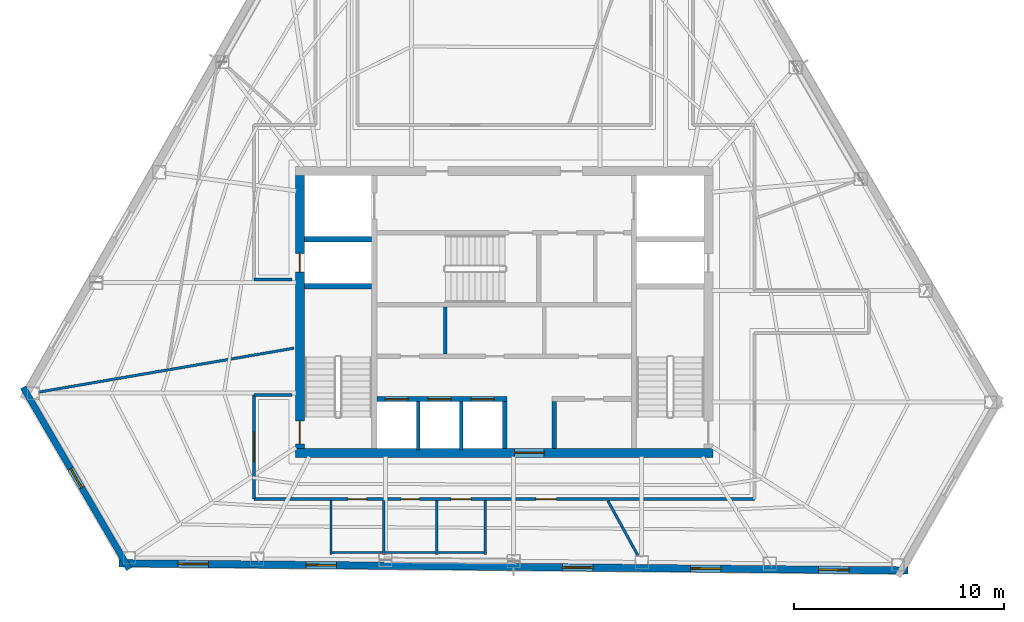
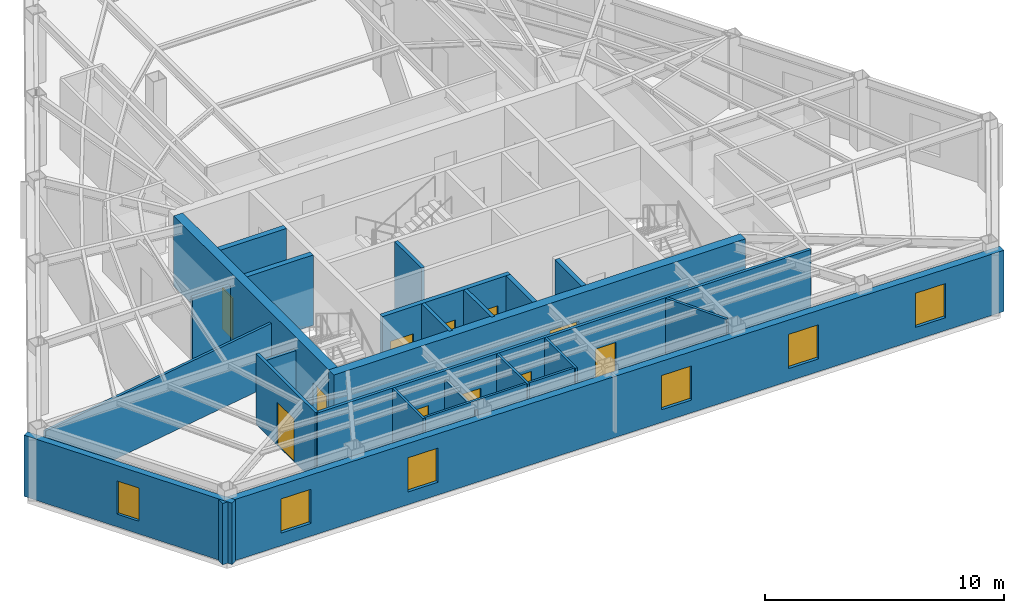
# One storey, part 7 of 11: 23 walls, 11 doors, 6 windows, 17 openings.
"""IFC4 building model written with IfcOpenShell, lengths in metres."""

from ifc_helpers import new_model, si_unit, direction, frame, frame_2d, origin, place, context, subcontext, project, spatial, rectangle, extrude, material, layer, layer_set, type_object, element, fill, save


model = new_model("IFC4")

# Units and contexts
model_context = context("Model", 3, precision=1e-05, world=origin(), true_north=direction((0.0, 1.0)))
body_context = subcontext(model_context, "Body", "Model", "MODEL_VIEW")
ifc_project = project(units=[si_unit("LENGTHUNIT", "METRE"), si_unit("AREAUNIT", "SQUARE_METRE"), si_unit("VOLUMEUNIT", "CUBIC_METRE"), si_unit("PLANEANGLEUNIT", "RADIAN"), si_unit("MASSUNIT", "GRAM", prefix="KILO")], contexts=[model_context])

# Site, building, storey
site_placement = place(None, origin())
site = spatial("IfcSite", under=ifc_project, at=site_placement, CompositionType="ELEMENT")
building_placement = place(site_placement, origin())
building = spatial("IfcBuilding", under=site, at=building_placement, Name="Kavelnor Concourse Tower", CompositionType="ELEMENT")
storey_placement = place(building_placement, frame((0.0, 0.0, 184.25)))
storey = spatial("IfcBuildingStorey", under=building, at=storey_placement, Name="L46", CompositionType="ELEMENT", Elevation=184.25)

# Wall, opening, door
ifc_material_1 = material(Name="Concrete C50/60", Category="concrete")
ifc_layer_1 = layer(ifc_material_1, 0.43994140625, Name="Concrete C50/60")
ifc_layer_set_1 = layer_set([ifc_layer_1], Name="Concrete C50/60")
wall_type_1 = type_object("IfcWallType", Name="WL-CORE-Z3-440", PredefinedType="SOLIDWALL", material=ifc_layer_set_1)
wall_1_placement = place(storey_placement, frame((28.0400390625, 9.3798828125, 0.0), z_axis=(0.0, 0.0, 1.0), x_axis=(1.0, 0.0, 0.0)))
wall_1 = element("IfcWall", 1, at=wall_1_placement, inside=storey, type_object=wall_type_1, Name="L46 Central Core South Shear Wall", PredefinedType="SOLIDWALL", context=body_context, shape_type="SweptSolid", body=[
    extrude(rectangle(XDim=19.919921875, YDim=0.43994140625, at=frame_2d((9.9599609375, 0.0))), origin(), (0.0, 0.0, 1.0), 3.60009765625),
])
opening_1_placement = place(wall_1_placement, frame((10.4599609375, 0.0, 0.0)))
opening_1 = element("IfcOpeningElement", 2, at=opening_1_placement, cuts=wall_1, Name="Opening SD-140", PredefinedType="OPENING", context=body_context, shape_type="SweptSolid", body=[
    extrude(rectangle(XDim=1.39990234375, YDim=2.199951171875, at=frame_2d((0.699951171875, 1.10009765625))), frame((0.0, 0.22998046875, 0.0), z_axis=(0.0, -1.0, 0.0), x_axis=(1.0, 0.0, 0.0)), (0.0, 0.0, 1.0), 0.4599609375),
])
ifc_material_2 = material(Name="Solid-core hardwood timber", Category="wood")
door_type_1 = type_object("IfcDoorType", Name="DR-SUITE-ENTRY-1400", OperationType="NOTDEFINED", PredefinedType="DOOR", material=ifc_material_2)
door_1_placement = place(opening_1_placement, origin())
door_1 = element("IfcDoor", 3, at=door_1_placement, inside=storey, type_object=door_type_1, Name="L46 Passenger Lift Lobby Entry Door", OperationType="SINGLE_SWING_LEFT", OverallHeight=2.199951171875, OverallWidth=1.39990234375, PredefinedType="DOOR", context=body_context, shape_type="SweptSolid", body=[
    extrude(rectangle(XDim=1.39990234375, YDim=2.199951171875, at=frame_2d((0.699951171875, 1.10009765625))), frame((0.0, 0.02490234375, 0.0), z_axis=(0.0, -1.0, 0.0), x_axis=(1.0, 0.0, 0.0)), (0.0, 0.0, 1.0), 0.050048828125),
])
fill(opening_1, door_1)

# Wall, openings, doors
wall_2_placement = place(storey_placement, frame((28.260009765625, 9.60009765625, 0.0), z_axis=(0.0, 0.0, 1.0), x_axis=(0.0, 1.0, 0.0)))
wall_2 = element("IfcWall", 4, at=wall_2_placement, inside=storey, type_object=wall_type_1, Name="L46 Central Core West Shear Wall", PredefinedType="SOLIDWALL", context=body_context, shape_type="SweptSolid", body=[
    extrude(rectangle(XDim=13.0, YDim=0.43994140625, at=frame_2d((6.5, 0.0))), origin(), (0.0, 0.0, 1.0), 3.60009765625),
])
opening_2_placement = place(wall_2_placement, frame((0.199951171875, 0.0, 0.0)))
opening_2 = element("IfcOpeningElement", 5, at=opening_2_placement, cuts=wall_2, Name="Opening FD-110", PredefinedType="OPENING", context=body_context, shape_type="SweptSolid", body=[
    extrude(rectangle(XDim=1.10009765625, YDim=2.14990234375, at=frame_2d((0.550048828125, 1.074951171875))), frame((0.0, 0.22998046875, 0.0), z_axis=(0.0, -1.0, 0.0), x_axis=(1.0, 0.0, 0.0)), (0.0, 0.0, 1.0), 0.4599609375),
])
opening_3_placement = place(wall_2_placement, frame((8.39990234375, 0.0, 0.0)))
opening_3 = element("IfcOpeningElement", 6, at=opening_3_placement, cuts=wall_2, Name="Opening FD-090", PredefinedType="OPENING", context=body_context, shape_type="SweptSolid", body=[
    extrude(rectangle(XDim=0.89990234375, YDim=2.10009765625, at=frame_2d((0.449951171875, 1.050048828125))), frame((0.0, 0.22998046875, 0.0), z_axis=(0.0, -1.0, 0.0), x_axis=(1.0, 0.0, 0.0)), (0.0, 0.0, 1.0), 0.4599609375),
])
ifc_material_3 = material(Name="Steel Grade 350", Category="steel")
door_type_2 = type_object("IfcDoorType", Name="DR-RISER-FIRE-900", OperationType="NOTDEFINED", PredefinedType="DOOR", material=ifc_material_3)
door_2_placement = place(opening_3_placement, origin())
door_2 = element("IfcDoor", 7, at=door_2_placement, inside=storey, type_object=door_type_2, Name="L46 West Riser Access Door", OperationType="SINGLE_SWING_RIGHT", OverallHeight=2.10009765625, OverallWidth=0.89990234375, PredefinedType="DOOR", context=body_context, shape_type="SweptSolid", body=[
    extrude(rectangle(XDim=0.89990234375, YDim=2.10009765625, at=frame_2d((0.449951171875, 1.050048828125))), frame((0.0, 0.02490234375, 0.0), z_axis=(0.0, -1.0, 0.0), x_axis=(1.0, 0.0, 0.0)), (0.0, 0.0, 1.0), 0.050048828125),
])
fill(opening_3, door_2)
door_type_3 = type_object("IfcDoorType", Name="DR-STAIR-FIRE-1100", OperationType="NOTDEFINED", PredefinedType="DOOR", material=ifc_material_3)
door_3_placement = place(opening_2_placement, origin())
door_3 = element("IfcDoor", 8, at=door_3_placement, inside=storey, type_object=door_type_3, Name="L46 Stair ST1 Fire Door", OperationType="SINGLE_SWING_LEFT", OverallHeight=2.14990234375, OverallWidth=1.10009765625, PredefinedType="DOOR", context=body_context, shape_type="SweptSolid", body=[
    extrude(rectangle(XDim=1.10009765625, YDim=2.14990234375, at=frame_2d((0.550048828125, 1.074951171875))), frame((0.0, 0.02490234375, 0.0), z_axis=(0.0, -1.0, 0.0), x_axis=(1.0, 0.0, 0.0)), (0.0, 0.0, 1.0), 0.050048828125),
])
fill(opening_2, door_3)

# Wall, opening, window
ifc_material_4 = material(Name="Buff ironspot clay face brick masonry", Category="masonry")
ifc_layer_2 = layer(ifc_material_4, 0.300048828125, Name="Buff ironspot clay face brick masonry")
ifc_layer_set_2 = layer_set([ifc_layer_2], Name="Buff ironspot clay face brick masonry")
wall_type_2 = type_object("IfcWallType", Name="WL-EXT-BUFF-BRICK-FOLD-300", PredefinedType="STANDARD", material=ifc_layer_set_2)
wall_3_placement = place(storey_placement, frame((20.119873046875, 3.839111328125, 0.0), z_axis=(0.0, 0.0, 1.0), x_axis=(-0.503937564299, 0.863740083178, 0.0)))
wall_3 = element("IfcWall", 9, at=wall_3_placement, inside=storey, type_object=wall_type_2, Name="L46 Exterior Brick Facade Wall E2", PredefinedType="STANDARD", context=body_context, shape_type="SweptSolid", body=[
    extrude(rectangle(XDim=10.03759765625, YDim=0.300048828125, at=frame_2d((5.018798828125, 0.0))), origin(), (0.0, 0.0, 1.0), 3.132080078125),
])
opening_4_placement = place(wall_3_placement, frame((4.493896484375, 0.0, 0.64990234375)))
opening_4 = element("IfcOpeningElement", 10, at=opening_4_placement, cuts=wall_3, Name="Opening W-06", PredefinedType="OPENING", context=body_context, shape_type="SweptSolid", body=[
    extrude(rectangle(XDim=1.050048828125, YDim=1.699951171875, at=frame_2d((0.52490234375, 0.85009765625))), frame((0.0, 0.16015625, 0.0), z_axis=(0.0, -1.0, 0.0), x_axis=(1.0, 0.0, 0.0)), (0.0, 0.0, 1.0), 0.320068359375),
])
ifc_material_5 = material(Name="Double low-E argon insulated glazing", Category="glass")
window_type_1 = type_object("IfcWindowType", Name="WIN-FOLD-1050", PartitioningType="SINGLE_PANEL", PredefinedType="WINDOW", material=ifc_material_5)
window_1_placement = place(opening_4_placement, origin())
window_1 = element("IfcWindow", 11, at=window_1_placement, inside=storey, type_object=window_type_1, Name="L46 Chamfer-Fold Facet Window C1", OverallHeight=1.699951171875, OverallWidth=1.050048828125, PartitioningType="SINGLE_PANEL", PredefinedType="WINDOW", context=body_context, shape_type="SweptSolid", body=[
    extrude(rectangle(XDim=1.050048828125, YDim=1.699951171875, at=frame_2d((0.52490234375, 0.85009765625))), frame((0.0, 0.030029296875, 0.0), z_axis=(0.0, -1.0, 0.0), x_axis=(1.0, 0.0, 0.0)), (0.0, 0.0, 1.0), 0.06005859375),
])
fill(opening_4, window_1)

# Wall, openings, windows
ifc_material_6 = material(Name="Red-ochre clay face brick masonry", Category="masonry")
ifc_layer_3 = layer(ifc_material_6, 0.35009765625, Name="Red-ochre clay face brick masonry")
ifc_layer_set_3 = layer_set([ifc_layer_3], Name="Red-ochre clay face brick masonry")
wall_type_3 = type_object("IfcWallType", Name="WL-EXT-RED-BRICK-PIER-350", PredefinedType="STANDARD", material=ifc_layer_set_3)
wall_4_placement = place(storey_placement, frame((57.2587890625, 3.77294921875, 0.0), z_axis=(0.0, 0.0, 1.0), x_axis=(-0.999958016909, 0.009163210113, 0.0)))
wall_4 = element("IfcWall", 12, at=wall_4_placement, inside=storey, type_object=wall_type_3, Name="L46 Exterior Brick Facade Wall E3", PredefinedType="STANDARD", context=body_context, shape_type="SweptSolid", body=[
    extrude(rectangle(XDim=37.62060546875, YDim=0.35009765625, at=frame_2d((18.810302734375, 0.0))), origin(), (0.0, 0.0, 1.0), 3.132080078125),
])
opening_5_placement = place(wall_4_placement, frame((33.36767578125, 0.0, 0.64990234375)))
opening_5 = element("IfcOpeningElement", 13, at=opening_5_placement, cuts=wall_4, Name="Opening W-03", PredefinedType="OPENING", context=body_context, shape_type="SweptSolid", body=[
    extrude(rectangle(XDim=1.449951171875, YDim=1.75, at=frame_2d((0.72509765625, 0.875))), frame((0.0, 0.18505859375, 0.0), z_axis=(0.0, -1.0, 0.0), x_axis=(1.0, 0.0, 0.0)), (0.0, 0.0, 1.0), 0.3701171875),
])
opening_6_placement = place(wall_4_placement, frame((27.256591796875, 0.0, 0.64990234375)))
opening_6 = element("IfcOpeningElement", 14, at=opening_6_placement, cuts=wall_4, Name="Opening W-03", PredefinedType="OPENING", context=body_context, shape_type="SweptSolid", body=[
    extrude(rectangle(XDim=1.449951171875, YDim=1.75, at=frame_2d((0.72509765625, 0.875))), frame((0.0, 0.18505859375, 0.0), z_axis=(0.0, -1.0, 0.0), x_axis=(1.0, 0.0, 0.0)), (0.0, 0.0, 1.0), 0.3701171875),
])
opening_7_placement = place(wall_4_placement, frame((15.0341796875, 0.0, 0.64990234375)))
opening_7 = element("IfcOpeningElement", 15, at=opening_7_placement, cuts=wall_4, Name="Opening W-03", PredefinedType="OPENING", context=body_context, shape_type="SweptSolid", body=[
    extrude(rectangle(XDim=1.449951171875, YDim=1.75, at=frame_2d((0.72509765625, 0.875))), frame((0.0, 0.18505859375, 0.0), z_axis=(0.0, -1.0, 0.0), x_axis=(1.0, 0.0, 0.0)), (0.0, 0.0, 1.0), 0.3701171875),
])
opening_8_placement = place(wall_4_placement, frame((8.923095703125, 0.0, 0.64990234375)))
opening_8 = element("IfcOpeningElement", 16, at=opening_8_placement, cuts=wall_4, Name="Opening W-03", PredefinedType="OPENING", context=body_context, shape_type="SweptSolid", body=[
    extrude(rectangle(XDim=1.449951171875, YDim=1.75, at=frame_2d((0.72509765625, 0.875))), frame((0.0, 0.18505859375, 0.0), z_axis=(0.0, -1.0, 0.0), x_axis=(1.0, 0.0, 0.0)), (0.0, 0.0, 1.0), 0.3701171875),
])
opening_9_placement = place(wall_4_placement, frame((2.81201171875, 0.0, 0.64990234375)))
opening_9 = element("IfcOpeningElement", 17, at=opening_9_placement, cuts=wall_4, Name="Opening W-03", PredefinedType="OPENING", context=body_context, shape_type="SweptSolid", body=[
    extrude(rectangle(XDim=1.449951171875, YDim=1.75, at=frame_2d((0.72509765625, 0.875))), frame((0.0, 0.18505859375, 0.0), z_axis=(0.0, -1.0, 0.0), x_axis=(1.0, 0.0, 0.0)), (0.0, 0.0, 1.0), 0.3701171875),
])
window_type_2 = type_object("IfcWindowType", Name="WIN-PIER-Z3-1500", PartitioningType="SINGLE_PANEL", PredefinedType="WINDOW", material=ifc_material_5)
window_2_placement = place(opening_5_placement, origin())
window_2 = element("IfcWindow", 18, at=window_2_placement, inside=storey, type_object=window_type_2, Name="L46 Deep-Set Brick Pier Window F1-B0", OverallHeight=1.75, OverallWidth=1.449951171875, PartitioningType="SINGLE_PANEL", PredefinedType="WINDOW", context=body_context, shape_type="SweptSolid", body=[
    extrude(rectangle(XDim=1.449951171875, YDim=1.75, at=frame_2d((0.72509765625, 0.875))), frame((0.0, 0.030029296875, 0.0), z_axis=(0.0, -1.0, 0.0), x_axis=(1.0, 0.0, 0.0)), (0.0, 0.0, 1.0), 0.06005859375),
])
fill(opening_5, window_2)
window_3_placement = place(opening_6_placement, origin())
window_3 = element("IfcWindow", 19, at=window_3_placement, inside=storey, type_object=window_type_2, Name="L46 Deep-Set Brick Pier Window F1-B1", OverallHeight=1.75, OverallWidth=1.449951171875, PartitioningType="SINGLE_PANEL", PredefinedType="WINDOW", context=body_context, shape_type="SweptSolid", body=[
    extrude(rectangle(XDim=1.449951171875, YDim=1.75, at=frame_2d((0.72509765625, 0.875))), frame((0.0, 0.030029296875, 0.0), z_axis=(0.0, -1.0, 0.0), x_axis=(1.0, 0.0, 0.0)), (0.0, 0.0, 1.0), 0.06005859375),
])
fill(opening_6, window_3)
window_4_placement = place(opening_7_placement, origin())
window_4 = element("IfcWindow", 20, at=window_4_placement, inside=storey, type_object=window_type_2, Name="L46 Deep-Set Brick Pier Window F1-B3", OverallHeight=1.75, OverallWidth=1.449951171875, PartitioningType="SINGLE_PANEL", PredefinedType="WINDOW", context=body_context, shape_type="SweptSolid", body=[
    extrude(rectangle(XDim=1.449951171875, YDim=1.75, at=frame_2d((0.72509765625, 0.875))), frame((0.0, 0.030029296875, 0.0), z_axis=(0.0, -1.0, 0.0), x_axis=(1.0, 0.0, 0.0)), (0.0, 0.0, 1.0), 0.06005859375),
])
fill(opening_7, window_4)
window_5_placement = place(opening_8_placement, origin())
window_5 = element("IfcWindow", 21, at=window_5_placement, inside=storey, type_object=window_type_2, Name="L46 Deep-Set Brick Pier Window F1-B4", OverallHeight=1.75, OverallWidth=1.449951171875, PartitioningType="SINGLE_PANEL", PredefinedType="WINDOW", context=body_context, shape_type="SweptSolid", body=[
    extrude(rectangle(XDim=1.449951171875, YDim=1.75, at=frame_2d((0.72509765625, 0.875))), frame((0.0, 0.030029296875, 0.0), z_axis=(0.0, -1.0, 0.0), x_axis=(1.0, 0.0, 0.0)), (0.0, 0.0, 1.0), 0.06005859375),
])
fill(opening_8, window_5)
window_6_placement = place(opening_9_placement, origin())
window_6 = element("IfcWindow", 22, at=window_6_placement, inside=storey, type_object=window_type_2, Name="L46 Deep-Set Brick Pier Window F1-B5", OverallHeight=1.75, OverallWidth=1.449951171875, PartitioningType="SINGLE_PANEL", PredefinedType="WINDOW", context=body_context, shape_type="SweptSolid", body=[
    extrude(rectangle(XDim=1.449951171875, YDim=1.75, at=frame_2d((0.72509765625, 0.875))), frame((0.0, 0.030029296875, 0.0), z_axis=(0.0, -1.0, 0.0), x_axis=(1.0, 0.0, 0.0)), (0.0, 0.0, 1.0), 0.06005859375),
])
fill(opening_9, window_6)

# Wall
ifc_material_7 = material(Name="Gypsum plasterboard on light-gauge steel studs", Category="steel")
ifc_layer_4 = layer(ifc_material_7, 0.14501953125, Name="Gypsum plasterboard on light-gauge steel studs")
ifc_layer_set_4 = layer_set([ifc_layer_4], Name="Gypsum plasterboard on light-gauge steel studs")
wall_type_4 = type_object("IfcWallType", Name="WL-INT-CORR-145", PredefinedType="PARTITIONING", material=ifc_layer_set_4)
wall_5_placement = place(storey_placement, frame((27.8798828125, 17.64990234375, 0.0), z_axis=(0.0, 0.0, 1.0), x_axis=(-1.0, 0.0, 0.0)))
element("IfcWall", 23, at=wall_5_placement, inside=storey, type_object=wall_type_4, Name="L46 Corridor Wall WL-L46-CR-01", PredefinedType="PARTITIONING", context=body_context, shape_type="SweptSolid", body=[
    extrude(rectangle(XDim=1.81982421875, YDim=0.14501953125, at=frame_2d((0.909912109375, 0.0))), origin(), (0.0, 0.0, 1.0), 3.14111328125),
])

# Wall, openings, doors
wall_6_placement = place(storey_placement, frame((49.93994140625, 7.179931640625, 0.0), z_axis=(0.0, 0.0, 1.0), x_axis=(-1.0, 0.0, 0.0)))
wall_6 = element("IfcWall", 24, at=wall_6_placement, inside=storey, type_object=wall_type_4, Name="L46 Corridor Wall WL-L46-CR-17", PredefinedType="PARTITIONING", context=body_context, shape_type="SweptSolid", body=[
    extrude(rectangle(XDim=23.8798828125, YDim=0.14501953125, at=frame_2d((11.93994140625, 0.0))), origin(), (0.0, 0.0, 1.0), 3.60009765625),
])
opening_10_placement = place(wall_6_placement, frame((18.5, 0.0, 0.0)))
opening_10 = element("IfcOpeningElement", 25, at=opening_10_placement, cuts=wall_6, Name="Opening WD-088", PredefinedType="OPENING", context=body_context, shape_type="SweptSolid", body=[
    extrude(rectangle(XDim=0.8798828125, YDim=2.10009765625, at=frame_2d((0.43994140625, 1.050048828125))), frame((0.0, 0.08251953125, 0.0), z_axis=(0.0, -1.0, 0.0), x_axis=(1.0, 0.0, 0.0)), (0.0, 0.0, 1.0), 0.1650390625),
])
opening_11_placement = place(wall_6_placement, frame((15.97998046875, 0.0, 0.0)))
opening_11 = element("IfcOpeningElement", 26, at=opening_11_placement, cuts=wall_6, Name="Opening WD-088", PredefinedType="OPENING", context=body_context, shape_type="SweptSolid", body=[
    extrude(rectangle(XDim=0.8798828125, YDim=2.10009765625, at=frame_2d((0.43994140625, 1.050048828125))), frame((0.0, 0.08251953125, 0.0), z_axis=(0.0, -1.0, 0.0), x_axis=(1.0, 0.0, 0.0)), (0.0, 0.0, 1.0), 0.1650390625),
])
opening_12_placement = place(wall_6_placement, frame((13.52001953125, 0.0, 0.0)))
opening_12 = element("IfcOpeningElement", 27, at=opening_12_placement, cuts=wall_6, Name="Opening WD-096", PredefinedType="OPENING", context=body_context, shape_type="SweptSolid", body=[
    extrude(rectangle(XDim=0.9599609375, YDim=2.10009765625, at=frame_2d((0.47998046875, 1.050048828125))), frame((0.0, 0.08251953125, 0.0), z_axis=(0.0, -1.0, 0.0), x_axis=(1.0, 0.0, 0.0)), (0.0, 0.0, 1.0), 0.1650390625),
])
opening_13_placement = place(wall_6_placement, frame((9.44580078125, 0.0, 0.0)))
opening_13 = element("IfcOpeningElement", 28, at=opening_13_placement, cuts=wall_6, Name="Opening OD-098", PredefinedType="OPENING", context=body_context, shape_type="SweptSolid", body=[
    extrude(rectangle(XDim=0.97998046875, YDim=2.14990234375, at=frame_2d((0.489990234375, 1.074951171875))), frame((0.0, 0.08251953125, 0.0), z_axis=(0.0, -1.0, 0.0), x_axis=(1.0, 0.0, 0.0)), (0.0, 0.0, 1.0), 0.1650390625),
])
door_type_4 = type_object("IfcDoorType", Name="DR-OFFICE-980", OperationType="NOTDEFINED", PredefinedType="DOOR", material=ifc_material_2)
door_4_placement = place(opening_13_placement, origin())
door_4 = element("IfcDoor", 29, at=door_4_placement, inside=storey, type_object=door_type_4, Name="L46 Technical Reference Library 06 Door", OperationType="SINGLE_SWING_LEFT", OverallHeight=2.14990234375, OverallWidth=0.97998046875, PredefinedType="DOOR", context=body_context, shape_type="SweptSolid", body=[
    extrude(rectangle(XDim=0.97998046875, YDim=2.14990234375, at=frame_2d((0.489990234375, 1.074951171875))), frame((0.0, 0.02490234375, 0.0), z_axis=(0.0, -1.0, 0.0), x_axis=(1.0, 0.0, 0.0)), (0.0, 0.0, 1.0), 0.050048828125),
])
fill(opening_13, door_4)
door_type_5 = type_object("IfcDoorType", Name="DR-WC-ACC-960", OperationType="NOTDEFINED", PredefinedType="DOOR", material=ifc_material_2)
door_5_placement = place(opening_12_placement, origin())
door_5 = element("IfcDoor", 30, at=door_5_placement, inside=storey, type_object=door_type_5, Name="L46 Accessible WC Door", OperationType="SINGLE_SWING_LEFT", OverallHeight=2.10009765625, OverallWidth=0.9599609375, PredefinedType="DOOR", context=body_context, shape_type="SweptSolid", body=[
    extrude(rectangle(XDim=0.9599609375, YDim=2.10009765625, at=frame_2d((0.47998046875, 1.050048828125))), frame((0.0, 0.02490234375, 0.0), z_axis=(0.0, -1.0, 0.0), x_axis=(1.0, 0.0, 0.0)), (0.0, 0.0, 1.0), 0.050048828125),
])
fill(opening_12, door_5)
door_type_6 = type_object("IfcDoorType", Name="DR-WC-STD-880", OperationType="NOTDEFINED", PredefinedType="DOOR", material=ifc_material_2)
door_6_placement = place(opening_10_placement, origin())
door_6 = element("IfcDoor", 31, at=door_6_placement, inside=storey, type_object=door_type_6, Name="L46 Male WC Door", OperationType="SINGLE_SWING_LEFT", OverallHeight=2.10009765625, OverallWidth=0.8798828125, PredefinedType="DOOR", context=body_context, shape_type="SweptSolid", body=[
    extrude(rectangle(XDim=0.8798828125, YDim=2.10009765625, at=frame_2d((0.43994140625, 1.050048828125))), frame((0.0, 0.02490234375, 0.0), z_axis=(0.0, -1.0, 0.0), x_axis=(1.0, 0.0, 0.0)), (0.0, 0.0, 1.0), 0.050048828125),
])
fill(opening_10, door_6)
door_7_placement = place(opening_11_placement, origin())
door_7 = element("IfcDoor", 32, at=door_7_placement, inside=storey, type_object=door_type_6, Name="L46 Female WC Door", OperationType="SINGLE_SWING_RIGHT", OverallHeight=2.10009765625, OverallWidth=0.8798828125, PredefinedType="DOOR", context=body_context, shape_type="SweptSolid", body=[
    extrude(rectangle(XDim=0.8798828125, YDim=2.10009765625, at=frame_2d((0.43994140625, 1.050048828125))), frame((0.0, 0.02490234375, 0.0), z_axis=(0.0, -1.0, 0.0), x_axis=(1.0, 0.0, 0.0)), (0.0, 0.0, 1.0), 0.050048828125),
])
fill(opening_11, door_7)

# Wall, opening, door
wall_7_placement = place(storey_placement, frame((26.06005859375, 7.179931640625, 0.0), z_axis=(0.0, 0.0, 1.0), x_axis=(0.0, 1.0, 0.0)))
wall_7 = element("IfcWall", 33, at=wall_7_placement, inside=storey, type_object=wall_type_4, Name="L46 Corridor Wall WL-L46-CR-18", PredefinedType="PARTITIONING", context=body_context, shape_type="SweptSolid", body=[
    extrude(rectangle(XDim=4.969970703125, YDim=0.14501953125, at=frame_2d((2.48486328125, 0.0))), origin(), (0.0, 0.0, 1.0), 3.60009765625),
])
opening_14_placement = place(wall_7_placement, frame((1.784912109375, 0.0, 0.0)))
opening_14 = element("IfcOpeningElement", 34, at=opening_14_placement, cuts=wall_7, Name="Opening SD-140", PredefinedType="OPENING", context=body_context, shape_type="SweptSolid", body=[
    extrude(rectangle(XDim=1.39990234375, YDim=2.199951171875, at=frame_2d((0.699951171875, 1.10009765625))), frame((0.0, 0.08251953125, 0.0), z_axis=(0.0, -1.0, 0.0), x_axis=(1.0, 0.0, 0.0)), (0.0, 0.0, 1.0), 0.1650390625),
])
door_8_placement = place(opening_14_placement, origin())
door_8 = element("IfcDoor", 35, at=door_8_placement, inside=storey, type_object=door_type_1, Name="L46 Technical Reference Library 05 Door", OperationType="SINGLE_SWING_RIGHT", OverallHeight=2.199951171875, OverallWidth=1.39990234375, PredefinedType="DOOR", context=body_context, shape_type="SweptSolid", body=[
    extrude(rectangle(XDim=1.39990234375, YDim=2.199951171875, at=frame_2d((0.699951171875, 1.10009765625))), frame((0.0, 0.02490234375, 0.0), z_axis=(0.0, -1.0, 0.0), x_axis=(1.0, 0.0, 0.0)), (0.0, 0.0, 1.0), 0.050048828125),
])
fill(opening_14, door_8)

# Walls
wall_8_placement = place(storey_placement, frame((26.06005859375, 12.14990234375, 0.0), z_axis=(0.0, 0.0, 1.0), x_axis=(1.0, 0.0, 0.0)))
element("IfcWall", 36, at=wall_8_placement, inside=storey, type_object=wall_type_4, Name="L46 Corridor Wall WL-L46-CR-19", PredefinedType="PARTITIONING", context=body_context, shape_type="SweptSolid", body=[
    extrude(rectangle(XDim=1.81982421875, YDim=0.14501953125, at=frame_2d((0.909912109375, 0.0))), origin(), (0.0, 0.0, 1.0), 3.14111328125),
])
ifc_layer_5 = layer(ifc_material_7, 0.1650390625, Name="Gypsum plasterboard on light-gauge steel studs")
ifc_layer_set_5 = layer_set([ifc_layer_5], Name="Gypsum plasterboard on light-gauge steel studs")
wall_type_5 = type_object("IfcWallType", Name="WL-INT-FIRE-165", PredefinedType="PARTITIONING", material=ifc_layer_set_5)
for number, where, z_axis, x_axis, name in (
    (37, (33.89990234375, 9.52001953125, 0.0), (0.0, 0.0, 1.0), (0.0, 1.0, 0.0), "L46 Lift Shaft Divider LP7"),
    (38, (35.949951171875, 9.52001953125, 0.0), (0.0, 0.0, 1.0), (0.0, 1.0, 0.0), "L46 Lift Shaft Divider LP8"),
):
    element("IfcWall", number, at=place(storey_placement, frame(where, z_axis=z_axis, x_axis=x_axis)), inside=storey, type_object=wall_type_5, Name=name, PredefinedType="PARTITIONING", context=body_context, shape_type="SweptSolid", body=[
        extrude(rectangle(XDim=2.320068359375, YDim=0.1650390625, at=frame_2d((1.16015625, 0.0))), origin(), (0.0, 0.0, 1.0), 3.60009765625),
    ])
wall_9_placement = place(storey_placement, frame((35.199951171875, 14.10009765625, 0.0), z_axis=(0.0, 0.0, 1.0), x_axis=(0.0, 1.0, 0.0)))
element("IfcWall", 39, at=wall_9_placement, inside=storey, type_object=wall_type_5, Name="L46 Reclaimed Core Partition A", PredefinedType="PARTITIONING", context=body_context, shape_type="SweptSolid", body=[
    extrude(rectangle(XDim=2.239990234375, YDim=0.1650390625, at=frame_2d((1.1201171875, 0.0))), origin(), (0.0, 0.0, 1.0), 3.60009765625),
])
ifc_layer_6 = layer(ifc_material_7, 0.125, Name="Gypsum plasterboard on light-gauge steel studs")
ifc_layer_set_6 = layer_set([ifc_layer_6], Name="Gypsum plasterboard on light-gauge steel studs")
wall_type_6 = type_object("IfcWallType", Name="WL-INT-SUITE-125", PredefinedType="PARTITIONING", material=ifc_layer_set_6)
wall_10_placement = place(storey_placement, frame((27.97998046875, 14.375244140625, 0.0), z_axis=(0.0, 0.0, 1.0), x_axis=(-0.9855033492, -0.169655971646, 0.0)))
element("IfcWall", 40, at=wall_10_placement, inside=storey, type_object=wall_type_6, Name="L46 Radial Suite Partition 04", PredefinedType="PARTITIONING", context=body_context, shape_type="SweptSolid", body=[
    extrude(rectangle(XDim=12.315185546875, YDim=0.125, at=frame_2d((6.15771484375, 0.0))), origin(), (0.0, 0.0, 1.0), 3.14111328125),
])
wall_11_placement = place(storey_placement, frame((42.943359375, 7.099609375, 0.0), z_axis=(0.0, 0.0, 1.0), x_axis=(0.481352610258, -0.876527047271, 0.0)))
element("IfcWall", 41, at=wall_11_placement, inside=storey, type_object=wall_type_6, Name="L46 Radial Suite Partition 05", PredefinedType="PARTITIONING", context=body_context, shape_type="SweptSolid", body=[
    extrude(rectangle(XDim=2.980224609375, YDim=0.125, at=frame_2d((1.490234375, 0.0))), origin(), (0.0, 0.0, 1.0), 3.60009765625),
])
ifc_layer_7 = layer(ifc_material_7, 0.110107421875, Name="Gypsum plasterboard on light-gauge steel studs")
ifc_layer_set_7 = layer_set([ifc_layer_7], Name="Gypsum plasterboard on light-gauge steel studs")
wall_type_7 = type_object("IfcWallType", Name="WL-INT-WC-110", PredefinedType="PLUMBINGWALL", material=ifc_layer_set_7)
wall_12_placement = place(storey_placement, frame((29.739990234375, 4.530029296875, 0.0), z_axis=(0.0, 0.0, 1.0), x_axis=(0.0, 1.0, 0.0)))
element("IfcWall", 42, at=wall_12_placement, inside=storey, type_object=wall_type_7, Name="L46 Sanitary Partition WL-L46-WC-W", PredefinedType="PLUMBINGWALL", context=body_context, shape_type="SweptSolid", body=[
    extrude(rectangle(XDim=2.580078125, YDim=0.110107421875, at=frame_2d((1.2900390625, 0.0))), origin(), (0.0, 0.0, 1.0), 3.60009765625),
])
wall_13_placement = place(storey_placement, frame((32.260009765625, 4.530029296875, 0.0), z_axis=(0.0, 0.0, 1.0), x_axis=(0.0, 1.0, 0.0)))
element("IfcWall", 43, at=wall_13_placement, inside=storey, type_object=wall_type_7, Name="L46 Sanitary Partition WL-L46-WC-D1", PredefinedType="PLUMBINGWALL", context=body_context, shape_type="SweptSolid", body=[
    extrude(rectangle(XDim=2.580078125, YDim=0.110107421875, at=frame_2d((1.2900390625, 0.0))), origin(), (0.0, 0.0, 1.0), 3.14111328125),
])
for number, where, z_axis, x_axis, name in (
    (44, (34.780029296875, 4.530029296875, 0.0), (0.0, 0.0, 1.0), (0.0, 1.0, 0.0), "L46 Sanitary Partition WL-L46-WC-D2"),
    (45, (37.10009765625, 4.530029296875, 0.0), (0.0, 0.0, 1.0), (0.0, 1.0, 0.0), "L46 Sanitary Partition WL-L46-WC-E"),
):
    element("IfcWall", number, at=place(storey_placement, frame(where, z_axis=z_axis, x_axis=x_axis)), inside=storey, type_object=wall_type_7, Name=name, PredefinedType="PLUMBINGWALL", context=body_context, shape_type="SweptSolid", body=[
        extrude(rectangle(XDim=2.580078125, YDim=0.110107421875, at=frame_2d((1.2900390625, 0.0))), origin(), (0.0, 0.0, 1.0), 3.60009765625),
    ])
wall_14_placement = place(storey_placement, frame((29.68994140625, 4.6298828125, 0.0), z_axis=(0.0, 0.0, 1.0), x_axis=(1.0, 0.0, 0.0)))
element("IfcWall", 46, at=wall_14_placement, inside=storey, type_object=wall_type_7, Name="L46 Sanitary Partition WL-L46-WC-S", PredefinedType="PLUMBINGWALL", context=body_context, shape_type="SweptSolid", body=[
    extrude(rectangle(XDim=7.4599609375, YDim=0.110107421875, at=frame_2d((3.72998046875, 0.0))), origin(), (0.0, 0.0, 1.0), 3.60009765625),
])

# Wall, openings, doors
ifc_layer_8 = layer(ifc_material_1, 0.219970703125, Name="Concrete C50/60")
ifc_layer_set_8 = layer_set([ifc_layer_8], Name="Concrete C50/60")
wall_type_8 = type_object("IfcWallType", Name="WL-SHAFT-220", PredefinedType="SOLIDWALL", material=ifc_layer_set_8)
wall_15_placement = place(storey_placement, frame((31.93994140625, 11.949951171875, 0.0), z_axis=(0.0, 0.0, 1.0), x_axis=(1.0, 0.0, 0.0)))
wall_15 = element("IfcWall", 47, at=wall_15_placement, inside=storey, type_object=wall_type_8, Name="L46 High-Rise Lift Bank North Wall", PredefinedType="SOLIDWALL", context=body_context, shape_type="SweptSolid", body=[
    extrude(rectangle(XDim=6.18994140625, YDim=0.219970703125, at=frame_2d((3.094970703125, 0.0))), origin(), (0.0, 0.0, 1.0), 3.60009765625),
])
opening_15_placement = place(wall_15_placement, frame((0.385009765625, 0.0, 0.0)))
opening_15 = element("IfcOpeningElement", 48, at=opening_15_placement, cuts=wall_15, Name="Opening LD-110", PredefinedType="OPENING", context=body_context, shape_type="SweptSolid", body=[
    extrude(rectangle(XDim=1.10009765625, YDim=2.199951171875, at=frame_2d((0.550048828125, 1.10009765625))), frame((0.0, 0.1201171875, 0.0), z_axis=(0.0, -1.0, 0.0), x_axis=(1.0, 0.0, 0.0)), (0.0, 0.0, 1.0), 0.239990234375),
])
opening_16_placement = place(wall_15_placement, frame((2.43505859375, 0.0, 0.0)))
opening_16 = element("IfcOpeningElement", 49, at=opening_16_placement, cuts=wall_15, Name="Opening LD-110", PredefinedType="OPENING", context=body_context, shape_type="SweptSolid", body=[
    extrude(rectangle(XDim=1.10009765625, YDim=2.199951171875, at=frame_2d((0.550048828125, 1.10009765625))), frame((0.0, 0.1201171875, 0.0), z_axis=(0.0, -1.0, 0.0), x_axis=(1.0, 0.0, 0.0)), (0.0, 0.0, 1.0), 0.239990234375),
])
opening_17_placement = place(wall_15_placement, frame((4.485107421875, 0.0, 0.0)))
opening_17 = element("IfcOpeningElement", 50, at=opening_17_placement, cuts=wall_15, Name="Opening LD-110", PredefinedType="OPENING", context=body_context, shape_type="SweptSolid", body=[
    extrude(rectangle(XDim=1.10009765625, YDim=2.199951171875, at=frame_2d((0.550048828125, 1.10009765625))), frame((0.0, 0.1201171875, 0.0), z_axis=(0.0, -1.0, 0.0), x_axis=(1.0, 0.0, 0.0)), (0.0, 0.0, 1.0), 0.239990234375),
])
door_type_7 = type_object("IfcDoorType", Name="DR-LIFT-SLIDING-1100", OperationType="NOTDEFINED", PredefinedType="DOOR", material=ifc_material_3)
door_9_placement = place(opening_15_placement, origin())
door_9 = element("IfcDoor", 51, at=door_9_placement, inside=storey, type_object=door_type_7, Name="L46 Lift LP7 Landing Door", OperationType="DOUBLE_DOOR_SLIDING", OverallHeight=2.199951171875, OverallWidth=1.10009765625, PredefinedType="DOOR", context=body_context, shape_type="SweptSolid", body=[
    extrude(rectangle(XDim=1.10009765625, YDim=2.199951171875, at=frame_2d((0.550048828125, 1.10009765625))), frame((0.0, 0.02490234375, 0.0), z_axis=(0.0, -1.0, 0.0), x_axis=(1.0, 0.0, 0.0)), (0.0, 0.0, 1.0), 0.050048828125),
])
fill(opening_15, door_9)
door_10_placement = place(opening_16_placement, origin())
door_10 = element("IfcDoor", 52, at=door_10_placement, inside=storey, type_object=door_type_7, Name="L46 Lift LP8 Landing Door", OperationType="DOUBLE_DOOR_SLIDING", OverallHeight=2.199951171875, OverallWidth=1.10009765625, PredefinedType="DOOR", context=body_context, shape_type="SweptSolid", body=[
    extrude(rectangle(XDim=1.10009765625, YDim=2.199951171875, at=frame_2d((0.550048828125, 1.10009765625))), frame((0.0, 0.02490234375, 0.0), z_axis=(0.0, -1.0, 0.0), x_axis=(1.0, 0.0, 0.0)), (0.0, 0.0, 1.0), 0.050048828125),
])
fill(opening_16, door_10)
door_11_placement = place(opening_17_placement, origin())
door_11 = element("IfcDoor", 53, at=door_11_placement, inside=storey, type_object=door_type_7, Name="L46 Lift LP9 Landing Door", OperationType="DOUBLE_DOOR_SLIDING", OverallHeight=2.199951171875, OverallWidth=1.10009765625, PredefinedType="DOOR", context=body_context, shape_type="SweptSolid", body=[
    extrude(rectangle(XDim=1.10009765625, YDim=2.199951171875, at=frame_2d((0.550048828125, 1.10009765625))), frame((0.0, 0.02490234375, 0.0), z_axis=(0.0, -1.0, 0.0), x_axis=(1.0, 0.0, 0.0)), (0.0, 0.0, 1.0), 0.050048828125),
])
fill(opening_17, door_11)

# Walls
for number, where, z_axis, x_axis, name in (
    (54, (38.02001953125, 9.60009765625, 0.0), (0.0, 0.0, 1.0), (0.0, 1.0, 0.0), "L46 Lift Lobby Throat West Wall"),
    (55, (40.389892578125, 9.60009765625, 0.0), (0.0, 0.0, 1.0), (0.0, 1.0, 0.0), "L46 Lift Lobby Throat East Wall"),
):
    element("IfcWall", number, at=place(storey_placement, frame(where, z_axis=z_axis, x_axis=x_axis)), inside=storey, type_object=wall_type_8, Name=name, PredefinedType="SOLIDWALL", context=body_context, shape_type="SweptSolid", body=[
        extrude(rectangle(XDim=2.239990234375, YDim=0.219970703125, at=frame_2d((1.1201171875, 0.0))), origin(), (0.0, 0.0, 1.0), 3.60009765625),
    ])
ifc_layer_9 = layer(ifc_material_1, 0.260009765625, Name="Concrete C50/60")
ifc_layer_set_9 = layer_set([ifc_layer_9], Name="Concrete C50/60")
wall_type_9 = type_object("IfcWallType", Name="WL-SHAFT-260", PredefinedType="SHEAR", material=ifc_layer_set_9)
for number, where, z_axis, x_axis, name in (
    (56, (28.47998046875, 17.330078125, 0.0), (0.0, 0.0, 1.0), (1.0, 0.0, 0.0), "L46 Stair ST1 North Shaft Wall"),
    (57, (28.47998046875, 19.570068359375, 0.0), (0.0, 0.0, 1.0), (1.0, 0.0, 0.0), "L46 Emergency Lift FL1 South Shaft Wall"),
):
    element("IfcWall", number, at=place(storey_placement, frame(where, z_axis=z_axis, x_axis=x_axis)), inside=storey, type_object=wall_type_9, Name=name, PredefinedType="SHEAR", context=body_context, shape_type="SweptSolid", body=[
        extrude(rectangle(XDim=3.199951171875, YDim=0.260009765625, at=frame_2d((1.60009765625, 0.0))), origin(), (0.0, 0.0, 1.0), 3.60009765625),
    ])

save(model, "model.ifc")
